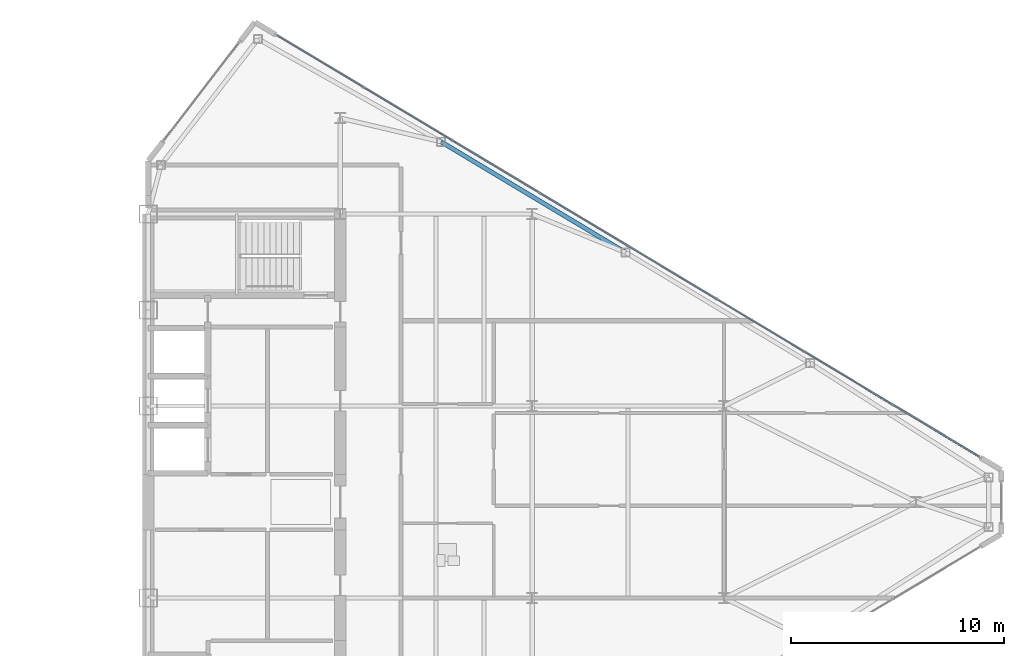
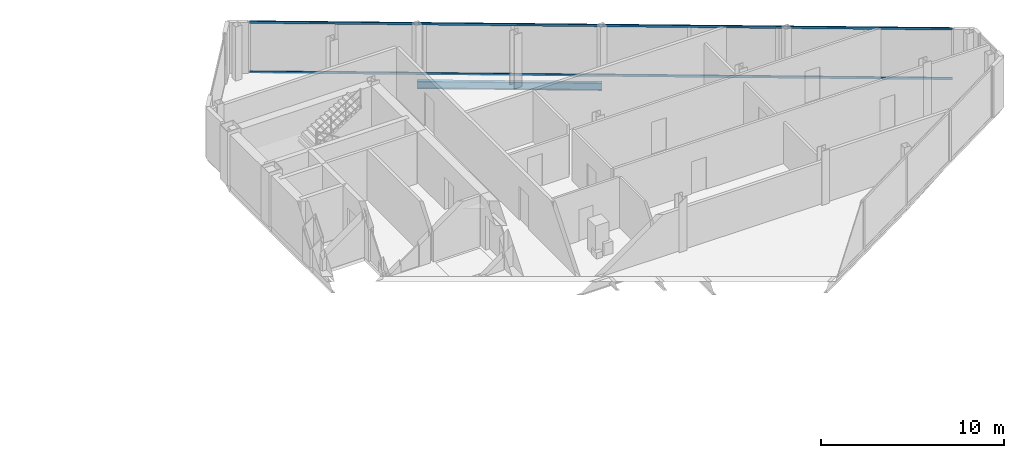
# One storey, part 16 of 25: 2 members, 1 beam, 1 element without a shape of its own.
"""IFC4 building model written with IfcOpenShell, lengths in metres."""

from ifc_helpers import new_model, si_unit, direction, frame, origin, origin_2d, place, context, subcontext, project, spatial, rectangle, i_section, extrude, source, transform, mapped, material, layer, layer_set, material_profile, profile_set, type_object, type_shapes, element, aggregate, save


model = new_model("IFC4")

# Units and contexts
model_context = context("Model", 3, precision=1e-05, world=origin(), true_north=direction((0.0, 1.0)))
body_context = subcontext(model_context, "Body", "Model", "MODEL_VIEW")
ifc_project = project(units=[si_unit("LENGTHUNIT", "METRE"), si_unit("AREAUNIT", "SQUARE_METRE"), si_unit("VOLUMEUNIT", "CUBIC_METRE"), si_unit("PLANEANGLEUNIT", "RADIAN"), si_unit("MASSUNIT", "GRAM", prefix="KILO")], contexts=[model_context])

# Site, building, storey
site_placement = place(None, origin())
site = spatial("IfcSite", under=ifc_project, at=site_placement, CompositionType="ELEMENT")
building_placement = place(site_placement, origin())
building = spatial("IfcBuilding", under=site, at=building_placement, Name="Seokmaru Belvedere", CompositionType="ELEMENT")
storey_placement = place(building_placement, frame((0.0, 0.0, 203.10009765625)))
storey = spatial("IfcBuildingStorey", under=building, at=storey_placement, Name="L54", CompositionType="ELEMENT", Elevation=203.10009765625)

# Beam
ifc_material_1 = material(Name="Steel SM355 (355 MPa)", Category="steel")
ifc_material_profile_1 = material_profile(ifc_material_1, i_section(OverallWidth=0.199951171875, OverallDepth=0.5, WebThickness=0.010009765625, FlangeThickness=0.01611328125, at=origin_2d()), Name="H-500x200x10x16")
ifc_profile_set_1 = profile_set([ifc_material_profile_1], Name="Steel SM355 (355 MPa)")
beam_type = type_object("IfcBeamType", Name="Perimeter Spandrel Beam H-500", PredefinedType="SPANDREL", material=ifc_profile_set_1)
shared_shape_1 = source(origin(), body_context, "Body", "SweptSolid", [
    extrude(i_section(OverallWidth=0.199951171875, OverallDepth=0.5, WebThickness=0.010009765625, FlangeThickness=0.01611328125, at=origin_2d()), origin(), (0.0, 0.0, 1.0), 10.087646484375),
])
type_shapes(beam_type, [shared_shape_1])
beam_placement = place(storey_placement, frame((41.229736328125, 16.888916015625, -0.47021484375), z_axis=(0.857499332045, -0.514485078056, 0.0), x_axis=(0.514485078056, 0.857499332045, 0.0)))
element("IfcBeam", 1, at=beam_placement, inside=storey, type_object=beam_type, Name="L54 E Faceted Flank Spandrel N-2", PredefinedType="SPANDREL", context=body_context, shape_type="MappedRepresentation", body=[
    mapped(shared_shape_1, transform((0.0, 0.0, 0.0), scale=1.0)),
])

# Curtain wall, members
ifc_material_2 = material(Name="Bronze Triple Insulating Glass", Category="glass")
ifc_layer = layer(ifc_material_2, 0.179931640625)
ifc_layer_set = layer_set([ifc_layer], Name="Bronze Triple Insulating Glass")
curtain_wall_type = type_object("IfcCurtainWallType", Name="High-Rise Wind-Corner Curtain Wall System CW-5", PredefinedType="NOTDEFINED", material=ifc_layer_set)
curtain_wall_placement = place(storey_placement, origin())
curtain_wall = element("IfcCurtainWall", 2, at=curtain_wall_placement, inside=storey, type_object=curtain_wall_type, Name="L54 Curtain Wall EF3", PredefinedType="NOTDEFINED")
ifc_material_3 = material(Name="Anodised Bronze Aluminium", Category="aluminium")
ifc_material_profile_2 = material_profile(ifc_material_3, rectangle(XDim=0.06494140625, YDim=0.14990234375, at=origin_2d()), Name="CW-T-65x150")
ifc_profile_set_2 = profile_set([ifc_material_profile_2], Name="Anodised Bronze Aluminium")
member_type = type_object("IfcMemberType", Name="Bronze Unitised Transom 65x150", PredefinedType="USERDEFINED", material=ifc_profile_set_2)
shared_shape_2 = source(origin(), body_context, "Body", "SweptSolid", [
    extrude(rectangle(XDim=0.06494140625, YDim=0.14990234375, at=origin_2d()), origin(), (0.0, 0.0, 1.0), 38.386962890625),
])
type_shapes(member_type, [shared_shape_2])
member_1_placement = place(storey_placement, frame((66.458251953125, 2.125, 0.032470703125), z_axis=(-0.85749180336, 0.514497626011, 0.0), x_axis=(-0.514497626011, -0.85749180336, 0.0)))
member_1 = element("IfcMember", 3, at=member_1_placement, type_object=member_type, Name="CW:L54:EF3 Continuous Transom 1", ObjectType="TRANSOM", PredefinedType="USERDEFINED", context=body_context, shape_type="MappedRepresentation", body=[
    mapped(shared_shape_2, transform((0.0, 0.0, 0.0), scale=1.0)),
])
member_2_placement = place(storey_placement, frame((66.458251953125, 2.125, 3.347412109375), z_axis=(-0.85749180336, 0.514497626011, 0.0), x_axis=(-0.514497626011, -0.85749180336, 0.0)))
member_2 = element("IfcMember", 4, at=member_2_placement, type_object=member_type, Name="CW:L54:EF3 Continuous Transom 2", ObjectType="TRANSOM", PredefinedType="USERDEFINED", context=body_context, shape_type="MappedRepresentation", body=[
    mapped(shared_shape_2, transform((0.0, 0.0, 0.0), scale=1.0)),
])
aggregate(curtain_wall, [member_1, member_2])

save(model, "model.ifc")
